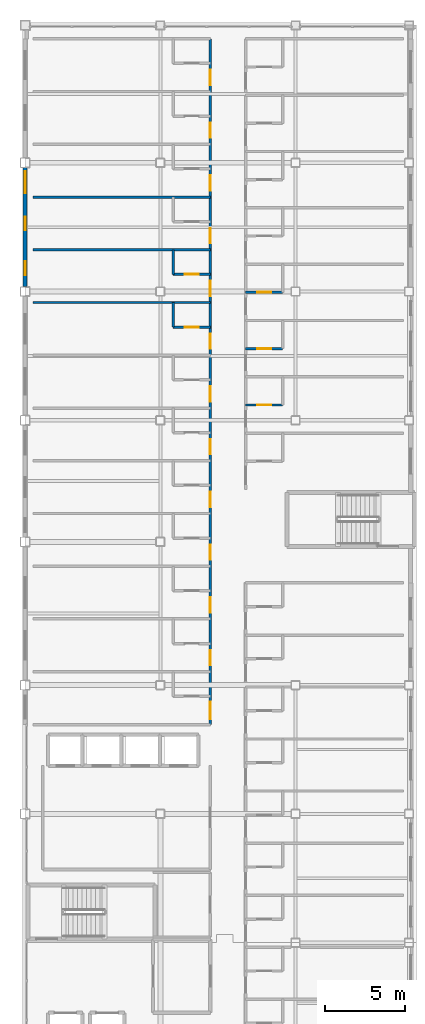
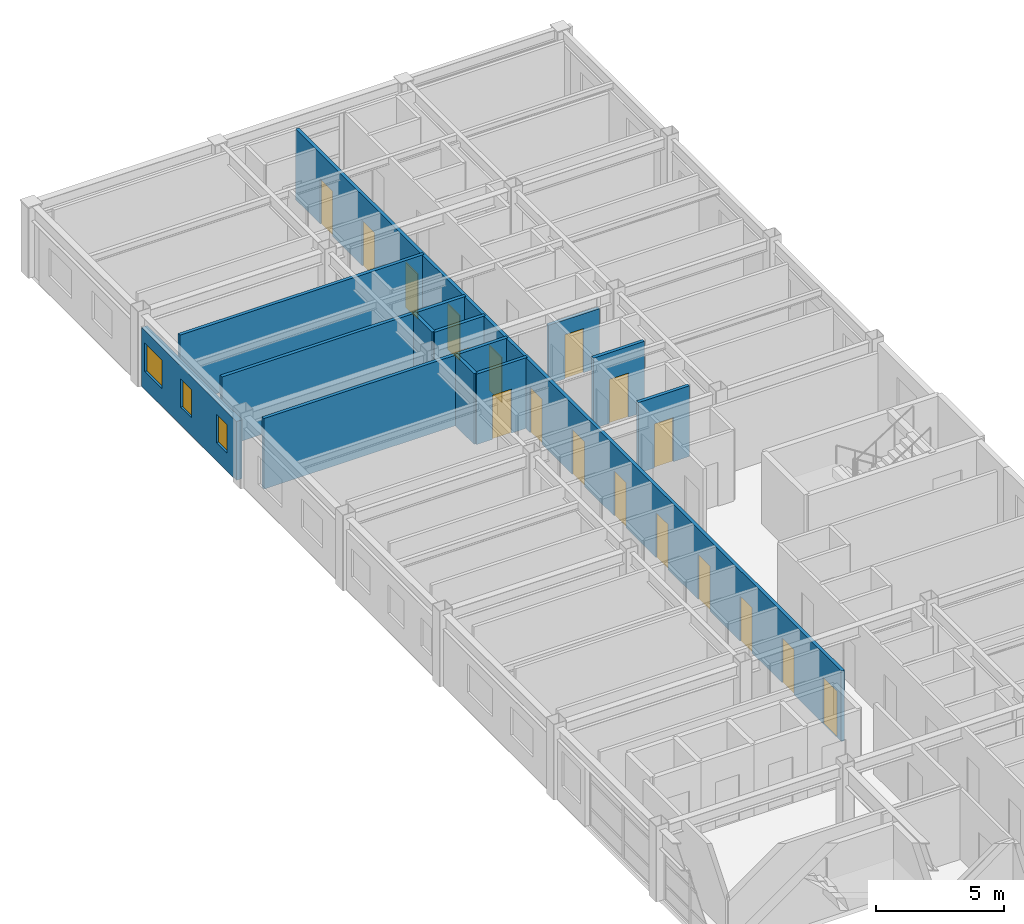
# One storey, part 31 of 36: 18 doors, 12 walls, 3 windows, 21 openings.
"""IFC4 building model written with IfcOpenShell, lengths in metres."""

from ifc_helpers import new_model, si_unit, direction, frame, frame_2d, origin, place, context, subcontext, project, spatial, rectangle, extrude, material, layer, layer_set, type_object, element, fill, save


model = new_model("IFC4")

# Units and contexts
model_context = context("Model", 3, precision=1e-05, world=origin(), true_north=direction((0.0, 1.0)))
body_context = subcontext(model_context, "Body", "Model", "MODEL_VIEW")
ifc_project = project(units=[si_unit("LENGTHUNIT", "METRE"), si_unit("AREAUNIT", "SQUARE_METRE"), si_unit("VOLUMEUNIT", "CUBIC_METRE"), si_unit("PLANEANGLEUNIT", "RADIAN"), si_unit("MASSUNIT", "GRAM", prefix="KILO")], contexts=[model_context])

# Site, building, storey
site_placement = place(None, origin())
site = spatial("IfcSite", under=ifc_project, at=site_placement, CompositionType="ELEMENT")
building_placement = place(site_placement, origin())
building = spatial("IfcBuilding", under=site, at=building_placement, Name="Kazehara Bluff Congress Hotel", CompositionType="ELEMENT")
storey_placement = place(building_placement, frame((0.0, 0.0, 28.199951171875)))
storey = spatial("IfcBuildingStorey", under=building, at=storey_placement, Name="L06", CompositionType="ELEMENT", Elevation=28.199951171875)

# Wall, openings, windows
ifc_material_1 = material(Name="Precast concrete C40/50", Category="concrete")
ifc_layer_1 = layer(ifc_material_1, 0.260009765625)
ifc_layer_set_1 = layer_set([ifc_layer_1], Name="Precast concrete C40/50")
wall_type_1 = type_object("IfcWallType", Name="TP-EW-260", PredefinedType="SOLIDWALL", material=ifc_layer_set_1)
wall_1_placement = place(storey_placement, frame((143.699951171875, 89.199951171875, 0.0), z_axis=(0.0, 0.0, 1.0), x_axis=(0.0, 1.0, 0.0)))
wall_1 = element("IfcWall", 1, at=wall_1_placement, inside=storey, type_object=wall_type_1, Name="L06 hotel facade panel 88", PredefinedType="SOLIDWALL", context=body_context, shape_type="SweptSolid", body=[
    extrude(rectangle(XDim=7.400146484375, YDim=0.260009765625, at=frame_2d((3.7001953125, 0.0))), origin(), (0.0, 0.0, 1.0), 2.804931640625),
])
opening_1_placement = place(wall_1_placement, frame((0.719970703125, 0.0, 0.85009765625)))
opening_1 = element("IfcOpeningElement", 2, at=opening_1_placement, cuts=wall_1, Name="Opening WN-55", PredefinedType="OPENING", context=body_context, shape_type="SweptSolid", body=[
    extrude(rectangle(XDim=0.85009765625, YDim=1.35009765625, at=frame_2d((0.425048828125, 0.675048828125))), frame((0.0, 0.139892578125, 0.0), z_axis=(0.0, -1.0, 0.0), x_axis=(1.0, 0.0, 0.0)), (0.0, 0.0, 1.0), 0.280029296875),
])
opening_2_placement = place(wall_1_placement, frame((3.5048828125, 0.0, 0.85009765625)))
opening_2 = element("IfcOpeningElement", 3, at=opening_2_placement, cuts=wall_1, Name="Opening WN-55", PredefinedType="OPENING", context=body_context, shape_type="SweptSolid", body=[
    extrude(rectangle(XDim=0.85009765625, YDim=1.35009765625, at=frame_2d((0.425048828125, 0.675048828125))), frame((0.0, 0.139892578125, 0.0), z_axis=(0.0, -1.0, 0.0), x_axis=(1.0, 0.0, 0.0)), (0.0, 0.0, 1.0), 0.280029296875),
])
opening_3_placement = place(wall_1_placement, frame((5.81005859375, 0.0, 0.85009765625)))
opening_3 = element("IfcOpeningElement", 4, at=opening_3_placement, cuts=wall_1, Name="Opening WN-11", PredefinedType="OPENING", context=body_context, shape_type="SweptSolid", body=[
    extrude(rectangle(XDim=1.35009765625, YDim=1.35009765625, at=frame_2d((0.675048828125, 0.675048828125))), frame((0.0, 0.139892578125, 0.0), z_axis=(0.0, -1.0, 0.0), x_axis=(1.0, 0.0, 0.0)), (0.0, 0.0, 1.0), 0.280029296875),
])
ifc_material_2 = material(Name="Insulated low-E double glazing", Category="glass")
window_type_1 = type_object("IfcWindowType", Name="TP-WN-11", PartitioningType="SINGLE_PANEL", PredefinedType="WINDOW", material=ifc_material_2)
window_1_placement = place(opening_3_placement, origin())
window_1 = element("IfcWindow", 5, at=window_1_placement, inside=storey, type_object=window_type_1, Name="L06 guestroom window WN-11 164", OverallHeight=1.35009765625, OverallWidth=1.35009765625, PartitioningType="SINGLE_PANEL", PredefinedType="WINDOW", context=body_context, shape_type="SweptSolid", body=[
    extrude(rectangle(XDim=1.35009765625, YDim=1.35009765625, at=frame_2d((0.675048828125, 0.675048828125))), frame((0.0, 0.030029296875, 0.0), z_axis=(0.0, -1.0, 0.0), x_axis=(1.0, 0.0, 0.0)), (0.0, 0.0, 1.0), 0.06005859375),
])
fill(opening_3, window_1)
ifc_material_3 = material(Name="Insulated low-E double glazing", Category="glass")
window_type_2 = type_object("IfcWindowType", Name="TP-WN-55", PartitioningType="SINGLE_PANEL", PredefinedType="WINDOW", material=ifc_material_3)
window_2_placement = place(opening_1_placement, origin())
window_2 = element("IfcWindow", 6, at=window_2_placement, inside=storey, type_object=window_type_2, Name="L06 guestroom window WN-55 162", OverallHeight=1.35009765625, OverallWidth=0.85009765625, PartitioningType="SINGLE_PANEL", PredefinedType="WINDOW", context=body_context, shape_type="SweptSolid", body=[
    extrude(rectangle(XDim=0.85009765625, YDim=1.35009765625, at=frame_2d((0.425048828125, 0.675048828125))), frame((0.0, 0.030029296875, 0.0), z_axis=(0.0, -1.0, 0.0), x_axis=(1.0, 0.0, 0.0)), (0.0, 0.0, 1.0), 0.06005859375),
])
fill(opening_1, window_2)
window_3_placement = place(opening_2_placement, origin())
window_3 = element("IfcWindow", 7, at=window_3_placement, inside=storey, type_object=window_type_2, Name="L06 guestroom window WN-55 163", OverallHeight=1.35009765625, OverallWidth=0.85009765625, PartitioningType="SINGLE_PANEL", PredefinedType="WINDOW", context=body_context, shape_type="SweptSolid", body=[
    extrude(rectangle(XDim=0.85009765625, YDim=1.35009765625, at=frame_2d((0.425048828125, 0.675048828125))), frame((0.0, 0.030029296875, 0.0), z_axis=(0.0, -1.0, 0.0), x_axis=(1.0, 0.0, 0.0)), (0.0, 0.0, 1.0), 0.06005859375),
])
fill(opening_2, window_3)

# Wall, opening, door
ifc_material_4 = material(Name="Fire-rated gypsum board stud partition")
ifc_layer_2 = layer(ifc_material_4, 0.14990234375)
ifc_layer_set_2 = layer_set([ifc_layer_2], Name="Fire-rated gypsum board stud partition")
wall_type_2 = type_object("IfcWallType", Name="TP-PT-150", PredefinedType="PARTITIONING", material=ifc_layer_set_2)
wall_2_placement = place(storey_placement, frame((157.39990234375, 81.85009765625, 0.0), z_axis=(0.0, 0.0, 1.0), x_axis=(1.0, 0.0, 0.0)))
wall_2 = element("IfcWall", 8, at=wall_2_placement, inside=storey, type_object=wall_type_2, Name="L06 partition PT-150 771", PredefinedType="PARTITIONING", context=body_context, shape_type="SweptSolid", body=[
    extrude(rectangle(XDim=2.300048828125, YDim=0.14990234375, at=frame_2d((1.14990234375, 0.0))), origin(), (0.0, 0.0, 1.0), 3.364990234375),
])
opening_4_placement = place(wall_2_placement, frame((0.72509765625, 0.0, 0.0)))
opening_4 = element("IfcOpeningElement", 9, at=opening_4_placement, cuts=wall_2, Name="Opening BD-01", PredefinedType="OPENING", context=body_context, shape_type="SweptSolid", body=[
    extrude(rectangle(XDim=0.85009765625, YDim=2.10009765625, at=frame_2d((0.425048828125, 1.050048828125))), frame((0.0, 0.0849609375, 0.0), z_axis=(0.0, -1.0, 0.0), x_axis=(1.0, 0.0, 0.0)), (0.0, 0.0, 1.0), 0.169921875),
])
ifc_material_5 = material(Name="Architectural oak veneer leaf")
door_type_1 = type_object("IfcDoorType", Name="TP-BD-01", OperationType="NOTDEFINED", PredefinedType="DOOR", material=ifc_material_5)
door_1_placement = place(opening_4_placement, origin())
door_1 = element("IfcDoor", 10, at=door_1_placement, inside=storey, type_object=door_type_1, Name="L06 En-suite Bathroom 160 door", OperationType="SINGLE_SWING_LEFT", OverallHeight=2.10009765625, OverallWidth=0.85009765625, PredefinedType="DOOR", context=body_context, shape_type="SweptSolid", body=[
    extrude(rectangle(XDim=0.85009765625, YDim=2.10009765625, at=frame_2d((0.425048828125, 1.050048828125))), frame((0.0, 0.02490234375, 0.0), z_axis=(0.0, -1.0, 0.0), x_axis=(1.0, 0.0, 0.0)), (0.0, 0.0, 1.0), 0.050048828125),
])
fill(opening_4, door_1)

wall_3_placement = place(storey_placement, frame((157.39990234375, 85.35009765625, 0.0), z_axis=(0.0, 0.0, 1.0), x_axis=(1.0, 0.0, 0.0)))
wall_3 = element("IfcWall", 11, at=wall_3_placement, inside=storey, type_object=wall_type_2, Name="L06 partition PT-150 775", PredefinedType="PARTITIONING", context=body_context, shape_type="SweptSolid", body=[
    extrude(rectangle(XDim=2.300048828125, YDim=0.14990234375, at=frame_2d((1.14990234375, 0.0))), origin(), (0.0, 0.0, 1.0), 3.364990234375),
])
opening_5_placement = place(wall_3_placement, frame((0.72509765625, 0.0, 0.0)))
opening_5 = element("IfcOpeningElement", 12, at=opening_5_placement, cuts=wall_3, Name="Opening BD-01", PredefinedType="OPENING", context=body_context, shape_type="SweptSolid", body=[
    extrude(rectangle(XDim=0.85009765625, YDim=2.10009765625, at=frame_2d((0.425048828125, 1.050048828125))), frame((0.0, 0.0849609375, 0.0), z_axis=(0.0, -1.0, 0.0), x_axis=(1.0, 0.0, 0.0)), (0.0, 0.0, 1.0), 0.169921875),
])
door_2_placement = place(opening_5_placement, origin())
door_2 = element("IfcDoor", 13, at=door_2_placement, inside=storey, type_object=door_type_1, Name="L06 En-suite Bathroom 161 door", OperationType="SINGLE_SWING_LEFT", OverallHeight=2.10009765625, OverallWidth=0.85009765625, PredefinedType="DOOR", context=body_context, shape_type="SweptSolid", body=[
    extrude(rectangle(XDim=0.85009765625, YDim=2.10009765625, at=frame_2d((0.425048828125, 1.050048828125))), frame((0.0, 0.02490234375, 0.0), z_axis=(0.0, -1.0, 0.0), x_axis=(1.0, 0.0, 0.0)), (0.0, 0.0, 1.0), 0.050048828125),
])
fill(opening_5, door_2)

wall_4_placement = place(storey_placement, frame((152.89990234375, 86.68994140625, 0.0), z_axis=(0.0, 0.0, 1.0), x_axis=(1.0, 0.0, 0.0)))
wall_4 = element("IfcWall", 14, at=wall_4_placement, inside=storey, type_object=wall_type_2, Name="L06 partition PT-150 776", PredefinedType="PARTITIONING", context=body_context, shape_type="SweptSolid", body=[
    extrude(rectangle(XDim=2.300048828125, YDim=0.14990234375, at=frame_2d((1.14990234375, 0.0))), origin(), (0.0, 0.0, 1.0), 3.364990234375),
])
opening_6_placement = place(wall_4_placement, frame((0.72509765625, 0.0, 0.0)))
opening_6 = element("IfcOpeningElement", 15, at=opening_6_placement, cuts=wall_4, Name="Opening BD-01", PredefinedType="OPENING", context=body_context, shape_type="SweptSolid", body=[
    extrude(rectangle(XDim=0.85009765625, YDim=2.10009765625, at=frame_2d((0.425048828125, 1.050048828125))), frame((0.0, 0.0849609375, 0.0), z_axis=(0.0, -1.0, 0.0), x_axis=(1.0, 0.0, 0.0)), (0.0, 0.0, 1.0), 0.169921875),
])
door_3_placement = place(opening_6_placement, origin())
door_3 = element("IfcDoor", 16, at=door_3_placement, inside=storey, type_object=door_type_1, Name="L06 En-suite Bathroom 133 door", OperationType="SINGLE_SWING_LEFT", OverallHeight=2.10009765625, OverallWidth=0.85009765625, PredefinedType="DOOR", context=body_context, shape_type="SweptSolid", body=[
    extrude(rectangle(XDim=0.85009765625, YDim=2.10009765625, at=frame_2d((0.425048828125, 1.050048828125))), frame((0.0, 0.02490234375, 0.0), z_axis=(0.0, -1.0, 0.0), x_axis=(1.0, 0.0, 0.0)), (0.0, 0.0, 1.0), 0.050048828125),
])
fill(opening_6, door_3)

# Wall
wall_5_placement = place(storey_placement, frame((144.199951171875, 88.219970703125, 0.0), z_axis=(0.0, 0.0, 1.0), x_axis=(1.0, 0.0, 0.0)))
element("IfcWall", 17, at=wall_5_placement, inside=storey, type_object=wall_type_2, Name="L06 partition PT-150 778", PredefinedType="PARTITIONING", context=body_context, shape_type="SweptSolid", body=[
    extrude(rectangle(XDim=11.0, YDim=0.14990234375, at=frame_2d((5.5, 0.0))), origin(), (0.0, 0.0, 1.0), 3.364990234375),
])

# Wall, opening, door
wall_6_placement = place(storey_placement, frame((157.39990234375, 88.85009765625, 0.0), z_axis=(0.0, 0.0, 1.0), x_axis=(1.0, 0.0, 0.0)))
wall_6 = element("IfcWall", 18, at=wall_6_placement, inside=storey, type_object=wall_type_2, Name="L06 partition PT-150 779", PredefinedType="PARTITIONING", context=body_context, shape_type="SweptSolid", body=[
    extrude(rectangle(XDim=2.300048828125, YDim=0.14990234375, at=frame_2d((1.14990234375, 0.0))), origin(), (0.0, 0.0, 1.0), 2.804931640625),
])
opening_7_placement = place(wall_6_placement, frame((0.72509765625, 0.0, 0.0)))
opening_7 = element("IfcOpeningElement", 19, at=opening_7_placement, cuts=wall_6, Name="Opening BD-01", PredefinedType="OPENING", context=body_context, shape_type="SweptSolid", body=[
    extrude(rectangle(XDim=0.85009765625, YDim=2.10009765625, at=frame_2d((0.425048828125, 1.050048828125))), frame((0.0, 0.0849609375, 0.0), z_axis=(0.0, -1.0, 0.0), x_axis=(1.0, 0.0, 0.0)), (0.0, 0.0, 1.0), 0.169921875),
])
door_4_placement = place(opening_7_placement, origin())
door_4 = element("IfcDoor", 20, at=door_4_placement, inside=storey, type_object=door_type_1, Name="L06 En-suite Bathroom 162 door", OperationType="SINGLE_SWING_LEFT", OverallHeight=2.10009765625, OverallWidth=0.85009765625, PredefinedType="DOOR", context=body_context, shape_type="SweptSolid", body=[
    extrude(rectangle(XDim=0.85009765625, YDim=2.10009765625, at=frame_2d((0.425048828125, 1.050048828125))), frame((0.0, 0.02490234375, 0.0), z_axis=(0.0, -1.0, 0.0), x_axis=(1.0, 0.0, 0.0)), (0.0, 0.0, 1.0), 0.050048828125),
])
fill(opening_7, door_4)

wall_7_placement = place(storey_placement, frame((152.89990234375, 89.969970703125, 0.0), z_axis=(0.0, 0.0, 1.0), x_axis=(1.0, 0.0, 0.0)))
wall_7 = element("IfcWall", 21, at=wall_7_placement, inside=storey, type_object=wall_type_2, Name="L06 partition PT-150 780", PredefinedType="PARTITIONING", context=body_context, shape_type="SweptSolid", body=[
    extrude(rectangle(XDim=2.300048828125, YDim=0.14990234375, at=frame_2d((1.14990234375, 0.0))), origin(), (0.0, 0.0, 1.0), 3.364990234375),
])
opening_8_placement = place(wall_7_placement, frame((0.72509765625, 0.0, 0.0)))
opening_8 = element("IfcOpeningElement", 22, at=opening_8_placement, cuts=wall_7, Name="Opening BD-01", PredefinedType="OPENING", context=body_context, shape_type="SweptSolid", body=[
    extrude(rectangle(XDim=0.85009765625, YDim=2.10009765625, at=frame_2d((0.425048828125, 1.050048828125))), frame((0.0, 0.0849609375, 0.0), z_axis=(0.0, -1.0, 0.0), x_axis=(1.0, 0.0, 0.0)), (0.0, 0.0, 1.0), 0.169921875),
])
door_5_placement = place(opening_8_placement, origin())
door_5 = element("IfcDoor", 23, at=door_5_placement, inside=storey, type_object=door_type_1, Name="L06 En-suite Bathroom 134 door", OperationType="SINGLE_SWING_LEFT", OverallHeight=2.10009765625, OverallWidth=0.85009765625, PredefinedType="DOOR", context=body_context, shape_type="SweptSolid", body=[
    extrude(rectangle(XDim=0.85009765625, YDim=2.10009765625, at=frame_2d((0.425048828125, 1.050048828125))), frame((0.0, 0.02490234375, 0.0), z_axis=(0.0, -1.0, 0.0), x_axis=(1.0, 0.0, 0.0)), (0.0, 0.0, 1.0), 0.050048828125),
])
fill(opening_8, door_5)

# Walls
for number, where, z_axis, x_axis, name in (
    (24, (144.199951171875, 91.489990234375, 0.0), (0.0, 0.0, 1.0), (1.0, 0.0, 0.0), "L06 partition PT-150 782"),
    (25, (144.199951171875, 94.77001953125, 0.0), (0.0, 0.0, 1.0), (1.0, 0.0, 0.0), "L06 partition PT-150 786"),
):
    element("IfcWall", number, at=place(storey_placement, frame(where, z_axis=z_axis, x_axis=x_axis)), inside=storey, type_object=wall_type_2, Name=name, PredefinedType="PARTITIONING", context=body_context, shape_type="SweptSolid", body=[
        extrude(rectangle(XDim=11.0, YDim=0.14990234375, at=frame_2d((5.5, 0.0))), origin(), (0.0, 0.0, 1.0), 3.364990234375),
    ])
wall_8_placement = place(storey_placement, frame((152.89990234375, 86.68994140625, 0.0), z_axis=(0.0, 0.0, 1.0), x_axis=(0.0, 1.0, 0.0)))
element("IfcWall", 26, at=wall_8_placement, inside=storey, type_object=wall_type_2, Name="L06 partition PT-150 815", PredefinedType="PARTITIONING", context=body_context, shape_type="SweptSolid", body=[
    extrude(rectangle(XDim=1.525146484375, YDim=0.14990234375, at=frame_2d((0.7626953125, 0.0))), origin(), (0.0, 0.0, 1.0), 3.364990234375),
])
wall_9_placement = place(storey_placement, frame((152.89990234375, 89.965087890625, 0.0), z_axis=(0.0, 0.0, 1.0), x_axis=(0.0, 1.0, 0.0)))
element("IfcWall", 27, at=wall_9_placement, inside=storey, type_object=wall_type_2, Name="L06 partition PT-150 816", PredefinedType="PARTITIONING", context=body_context, shape_type="SweptSolid", body=[
    extrude(rectangle(XDim=1.52490234375, YDim=0.14990234375, at=frame_2d((0.762451171875, 0.0))), origin(), (0.0, 0.0, 1.0), 3.364990234375),
])

# Wall, openings, doors
wall_10_placement = place(storey_placement, frame((155.199951171875, 62.0, 0.0), z_axis=(0.0, 0.0, 1.0), x_axis=(0.0, 1.0, 0.0)))
wall_10 = element("IfcWall", 28, at=wall_10_placement, inside=storey, type_object=wall_type_2, Name="L06 partition PT-150 827", PredefinedType="PARTITIONING", context=body_context, shape_type="SweptSolid", body=[
    extrude(rectangle(XDim=42.60009765625, YDim=0.14990234375, at=frame_2d((21.300048828125, 0.0))), origin(), (0.0, 0.0, 1.0), 3.364990234375),
])
opening_9_placement = place(wall_10_placement, frame((0.324951171875, 0.0, 0.0)))
opening_9 = element("IfcOpeningElement", 29, at=opening_9_placement, cuts=wall_10, Name="Opening GD-02", PredefinedType="OPENING", context=body_context, shape_type="SweptSolid", body=[
    extrude(rectangle(XDim=1.10009765625, YDim=2.199951171875, at=frame_2d((0.550048828125, 1.10009765625))), frame((0.0, 0.0849609375, 0.0), z_axis=(0.0, -1.0, 0.0), x_axis=(1.0, 0.0, 0.0)), (0.0, 0.0, 1.0), 0.169921875),
])
opening_10_placement = place(wall_10_placement, frame((3.675048828125, 0.0, 0.0)))
opening_10 = element("IfcOpeningElement", 30, at=opening_10_placement, cuts=wall_10, Name="Opening GD-01", PredefinedType="OPENING", context=body_context, shape_type="SweptSolid", body=[
    extrude(rectangle(XDim=0.949951171875, YDim=2.14990234375, at=frame_2d((0.47509765625, 1.074951171875))), frame((0.0, 0.0849609375, 0.0), z_axis=(0.0, -1.0, 0.0), x_axis=(1.0, 0.0, 0.0)), (0.0, 0.0, 1.0), 0.169921875),
])
opening_11_placement = place(wall_10_placement, frame((6.955078125, 0.0, 0.0)))
opening_11 = element("IfcOpeningElement", 31, at=opening_11_placement, cuts=wall_10, Name="Opening GD-01", PredefinedType="OPENING", context=body_context, shape_type="SweptSolid", body=[
    extrude(rectangle(XDim=0.949951171875, YDim=2.14990234375, at=frame_2d((0.47509765625, 1.074951171875))), frame((0.0, 0.0849609375, 0.0), z_axis=(0.0, -1.0, 0.0), x_axis=(1.0, 0.0, 0.0)), (0.0, 0.0, 1.0), 0.169921875),
])
opening_12_placement = place(wall_10_placement, frame((10.22998046875, 0.0, 0.0)))
opening_12 = element("IfcOpeningElement", 32, at=opening_12_placement, cuts=wall_10, Name="Opening GD-01", PredefinedType="OPENING", context=body_context, shape_type="SweptSolid", body=[
    extrude(rectangle(XDim=0.949951171875, YDim=2.14990234375, at=frame_2d((0.47509765625, 1.074951171875))), frame((0.0, 0.0849609375, 0.0), z_axis=(0.0, -1.0, 0.0), x_axis=(1.0, 0.0, 0.0)), (0.0, 0.0, 1.0), 0.169921875),
])
opening_13_placement = place(wall_10_placement, frame((13.510009765625, 0.0, 0.0)))
opening_13 = element("IfcOpeningElement", 33, at=opening_13_placement, cuts=wall_10, Name="Opening GD-01", PredefinedType="OPENING", context=body_context, shape_type="SweptSolid", body=[
    extrude(rectangle(XDim=0.949951171875, YDim=2.14990234375, at=frame_2d((0.47509765625, 1.074951171875))), frame((0.0, 0.0849609375, 0.0), z_axis=(0.0, -1.0, 0.0), x_axis=(1.0, 0.0, 0.0)), (0.0, 0.0, 1.0), 0.169921875),
])
opening_14_placement = place(wall_10_placement, frame((16.784912109375, 0.0, 0.0)))
opening_14 = element("IfcOpeningElement", 34, at=opening_14_placement, cuts=wall_10, Name="Opening GD-01", PredefinedType="OPENING", context=body_context, shape_type="SweptSolid", body=[
    extrude(rectangle(XDim=0.949951171875, YDim=2.14990234375, at=frame_2d((0.47509765625, 1.074951171875))), frame((0.0, 0.0849609375, 0.0), z_axis=(0.0, -1.0, 0.0), x_axis=(1.0, 0.0, 0.0)), (0.0, 0.0, 1.0), 0.169921875),
])
opening_15_placement = place(wall_10_placement, frame((20.06005859375, 0.0, 0.0)))
opening_15 = element("IfcOpeningElement", 35, at=opening_15_placement, cuts=wall_10, Name="Opening GD-01", PredefinedType="OPENING", context=body_context, shape_type="SweptSolid", body=[
    extrude(rectangle(XDim=0.949951171875, YDim=2.14990234375, at=frame_2d((0.47509765625, 1.074951171875))), frame((0.0, 0.0849609375, 0.0), z_axis=(0.0, -1.0, 0.0), x_axis=(1.0, 0.0, 0.0)), (0.0, 0.0, 1.0), 0.169921875),
])
opening_16_placement = place(wall_10_placement, frame((23.340087890625, 0.0, 0.0)))
opening_16 = element("IfcOpeningElement", 36, at=opening_16_placement, cuts=wall_10, Name="Opening GD-01", PredefinedType="OPENING", context=body_context, shape_type="SweptSolid", body=[
    extrude(rectangle(XDim=0.949951171875, YDim=2.14990234375, at=frame_2d((0.47509765625, 1.074951171875))), frame((0.0, 0.0849609375, 0.0), z_axis=(0.0, -1.0, 0.0), x_axis=(1.0, 0.0, 0.0)), (0.0, 0.0, 1.0), 0.169921875),
])
opening_17_placement = place(wall_10_placement, frame((26.614990234375, 0.0, 0.0)))
opening_17 = element("IfcOpeningElement", 37, at=opening_17_placement, cuts=wall_10, Name="Opening GD-01", PredefinedType="OPENING", context=body_context, shape_type="SweptSolid", body=[
    extrude(rectangle(XDim=0.949951171875, YDim=2.14990234375, at=frame_2d((0.47509765625, 1.074951171875))), frame((0.0, 0.0849609375, 0.0), z_axis=(0.0, -1.0, 0.0), x_axis=(1.0, 0.0, 0.0)), (0.0, 0.0, 1.0), 0.169921875),
])
opening_18_placement = place(wall_10_placement, frame((29.889892578125, 0.0, 0.0)))
opening_18 = element("IfcOpeningElement", 38, at=opening_18_placement, cuts=wall_10, Name="Opening GD-01", PredefinedType="OPENING", context=body_context, shape_type="SweptSolid", body=[
    extrude(rectangle(XDim=0.949951171875, YDim=2.14990234375, at=frame_2d((0.47509765625, 1.074951171875))), frame((0.0, 0.0849609375, 0.0), z_axis=(0.0, -1.0, 0.0), x_axis=(1.0, 0.0, 0.0)), (0.0, 0.0, 1.0), 0.169921875),
])
opening_19_placement = place(wall_10_placement, frame((33.169921875, 0.0, 0.0)))
opening_19 = element("IfcOpeningElement", 39, at=opening_19_placement, cuts=wall_10, Name="Opening GD-01", PredefinedType="OPENING", context=body_context, shape_type="SweptSolid", body=[
    extrude(rectangle(XDim=0.949951171875, YDim=2.14990234375, at=frame_2d((0.47509765625, 1.074951171875))), frame((0.0, 0.0849609375, 0.0), z_axis=(0.0, -1.0, 0.0), x_axis=(1.0, 0.0, 0.0)), (0.0, 0.0, 1.0), 0.169921875),
])
opening_20_placement = place(wall_10_placement, frame((36.445068359375, 0.0, 0.0)))
opening_20 = element("IfcOpeningElement", 40, at=opening_20_placement, cuts=wall_10, Name="Opening GD-01", PredefinedType="OPENING", context=body_context, shape_type="SweptSolid", body=[
    extrude(rectangle(XDim=0.949951171875, YDim=2.14990234375, at=frame_2d((0.47509765625, 1.074951171875))), frame((0.0, 0.0849609375, 0.0), z_axis=(0.0, -1.0, 0.0), x_axis=(1.0, 0.0, 0.0)), (0.0, 0.0, 1.0), 0.169921875),
])
opening_21_placement = place(wall_10_placement, frame((39.72509765625, 0.0, 0.0)))
opening_21 = element("IfcOpeningElement", 41, at=opening_21_placement, cuts=wall_10, Name="Opening GD-01", PredefinedType="OPENING", context=body_context, shape_type="SweptSolid", body=[
    extrude(rectangle(XDim=0.949951171875, YDim=2.14990234375, at=frame_2d((0.47509765625, 1.074951171875))), frame((0.0, 0.0849609375, 0.0), z_axis=(0.0, -1.0, 0.0), x_axis=(1.0, 0.0, 0.0)), (0.0, 0.0, 1.0), 0.169921875),
])
ifc_material_6 = material(Name="Architectural oak veneer leaf")
door_type_2 = type_object("IfcDoorType", Name="TP-GD-01", OperationType="NOTDEFINED", PredefinedType="DOOR", material=ifc_material_6)
door_6_placement = place(opening_10_placement, origin())
door_6 = element("IfcDoor", 42, at=door_6_placement, inside=storey, type_object=door_type_2, Name="L06 Standard King Guest Room 127 door", OperationType="SINGLE_SWING_RIGHT", OverallHeight=2.14990234375, OverallWidth=0.949951171875, PredefinedType="DOOR", context=body_context, shape_type="SweptSolid", body=[
    extrude(rectangle(XDim=0.949951171875, YDim=2.14990234375, at=frame_2d((0.47509765625, 1.074951171875))), frame((0.0, 0.02490234375, 0.0), z_axis=(0.0, -1.0, 0.0), x_axis=(1.0, 0.0, 0.0)), (0.0, 0.0, 1.0), 0.050048828125),
])
fill(opening_10, door_6)
door_7_placement = place(opening_11_placement, origin())
door_7 = element("IfcDoor", 43, at=door_7_placement, inside=storey, type_object=door_type_2, Name="L06 Deluxe Twin Guest Room 128 door", OperationType="SINGLE_SWING_RIGHT", OverallHeight=2.14990234375, OverallWidth=0.949951171875, PredefinedType="DOOR", context=body_context, shape_type="SweptSolid", body=[
    extrude(rectangle(XDim=0.949951171875, YDim=2.14990234375, at=frame_2d((0.47509765625, 1.074951171875))), frame((0.0, 0.02490234375, 0.0), z_axis=(0.0, -1.0, 0.0), x_axis=(1.0, 0.0, 0.0)), (0.0, 0.0, 1.0), 0.050048828125),
])
fill(opening_11, door_7)
door_8_placement = place(opening_12_placement, origin())
door_8 = element("IfcDoor", 44, at=door_8_placement, inside=storey, type_object=door_type_2, Name="L06 Standard King Guest Room 129 door", OperationType="SINGLE_SWING_RIGHT", OverallHeight=2.14990234375, OverallWidth=0.949951171875, PredefinedType="DOOR", context=body_context, shape_type="SweptSolid", body=[
    extrude(rectangle(XDim=0.949951171875, YDim=2.14990234375, at=frame_2d((0.47509765625, 1.074951171875))), frame((0.0, 0.02490234375, 0.0), z_axis=(0.0, -1.0, 0.0), x_axis=(1.0, 0.0, 0.0)), (0.0, 0.0, 1.0), 0.050048828125),
])
fill(opening_12, door_8)
door_9_placement = place(opening_13_placement, origin())
door_9 = element("IfcDoor", 45, at=door_9_placement, inside=storey, type_object=door_type_2, Name="L06 Deluxe Twin Guest Room 130 door", OperationType="SINGLE_SWING_RIGHT", OverallHeight=2.14990234375, OverallWidth=0.949951171875, PredefinedType="DOOR", context=body_context, shape_type="SweptSolid", body=[
    extrude(rectangle(XDim=0.949951171875, YDim=2.14990234375, at=frame_2d((0.47509765625, 1.074951171875))), frame((0.0, 0.02490234375, 0.0), z_axis=(0.0, -1.0, 0.0), x_axis=(1.0, 0.0, 0.0)), (0.0, 0.0, 1.0), 0.050048828125),
])
fill(opening_13, door_9)
door_10_placement = place(opening_14_placement, origin())
door_10 = element("IfcDoor", 46, at=door_10_placement, inside=storey, type_object=door_type_2, Name="L06 Standard King Guest Room 131 door", OperationType="SINGLE_SWING_RIGHT", OverallHeight=2.14990234375, OverallWidth=0.949951171875, PredefinedType="DOOR", context=body_context, shape_type="SweptSolid", body=[
    extrude(rectangle(XDim=0.949951171875, YDim=2.14990234375, at=frame_2d((0.47509765625, 1.074951171875))), frame((0.0, 0.02490234375, 0.0), z_axis=(0.0, -1.0, 0.0), x_axis=(1.0, 0.0, 0.0)), (0.0, 0.0, 1.0), 0.050048828125),
])
fill(opening_14, door_10)
door_11_placement = place(opening_15_placement, origin())
door_11 = element("IfcDoor", 47, at=door_11_placement, inside=storey, type_object=door_type_2, Name="L06 Deluxe Twin Guest Room 132 door", OperationType="SINGLE_SWING_RIGHT", OverallHeight=2.14990234375, OverallWidth=0.949951171875, PredefinedType="DOOR", context=body_context, shape_type="SweptSolid", body=[
    extrude(rectangle(XDim=0.949951171875, YDim=2.14990234375, at=frame_2d((0.47509765625, 1.074951171875))), frame((0.0, 0.02490234375, 0.0), z_axis=(0.0, -1.0, 0.0), x_axis=(1.0, 0.0, 0.0)), (0.0, 0.0, 1.0), 0.050048828125),
])
fill(opening_15, door_11)
door_12_placement = place(opening_16_placement, origin())
door_12 = element("IfcDoor", 48, at=door_12_placement, inside=storey, type_object=door_type_2, Name="L06 Standard King Guest Room 133 door", OperationType="SINGLE_SWING_RIGHT", OverallHeight=2.14990234375, OverallWidth=0.949951171875, PredefinedType="DOOR", context=body_context, shape_type="SweptSolid", body=[
    extrude(rectangle(XDim=0.949951171875, YDim=2.14990234375, at=frame_2d((0.47509765625, 1.074951171875))), frame((0.0, 0.02490234375, 0.0), z_axis=(0.0, -1.0, 0.0), x_axis=(1.0, 0.0, 0.0)), (0.0, 0.0, 1.0), 0.050048828125),
])
fill(opening_16, door_12)
door_13_placement = place(opening_17_placement, origin())
door_13 = element("IfcDoor", 49, at=door_13_placement, inside=storey, type_object=door_type_2, Name="L06 Deluxe Twin Guest Room 134 door", OperationType="SINGLE_SWING_RIGHT", OverallHeight=2.14990234375, OverallWidth=0.949951171875, PredefinedType="DOOR", context=body_context, shape_type="SweptSolid", body=[
    extrude(rectangle(XDim=0.949951171875, YDim=2.14990234375, at=frame_2d((0.47509765625, 1.074951171875))), frame((0.0, 0.02490234375, 0.0), z_axis=(0.0, -1.0, 0.0), x_axis=(1.0, 0.0, 0.0)), (0.0, 0.0, 1.0), 0.050048828125),
])
fill(opening_17, door_13)
door_14_placement = place(opening_18_placement, origin())
door_14 = element("IfcDoor", 50, at=door_14_placement, inside=storey, type_object=door_type_2, Name="L06 Standard King Guest Room 135 door", OperationType="SINGLE_SWING_RIGHT", OverallHeight=2.14990234375, OverallWidth=0.949951171875, PredefinedType="DOOR", context=body_context, shape_type="SweptSolid", body=[
    extrude(rectangle(XDim=0.949951171875, YDim=2.14990234375, at=frame_2d((0.47509765625, 1.074951171875))), frame((0.0, 0.02490234375, 0.0), z_axis=(0.0, -1.0, 0.0), x_axis=(1.0, 0.0, 0.0)), (0.0, 0.0, 1.0), 0.050048828125),
])
fill(opening_18, door_14)
door_15_placement = place(opening_19_placement, origin())
door_15 = element("IfcDoor", 51, at=door_15_placement, inside=storey, type_object=door_type_2, Name="L06 Deluxe Twin Guest Room 136 door", OperationType="SINGLE_SWING_RIGHT", OverallHeight=2.14990234375, OverallWidth=0.949951171875, PredefinedType="DOOR", context=body_context, shape_type="SweptSolid", body=[
    extrude(rectangle(XDim=0.949951171875, YDim=2.14990234375, at=frame_2d((0.47509765625, 1.074951171875))), frame((0.0, 0.02490234375, 0.0), z_axis=(0.0, -1.0, 0.0), x_axis=(1.0, 0.0, 0.0)), (0.0, 0.0, 1.0), 0.050048828125),
])
fill(opening_19, door_15)
door_16_placement = place(opening_20_placement, origin())
door_16 = element("IfcDoor", 52, at=door_16_placement, inside=storey, type_object=door_type_2, Name="L06 Standard King Guest Room 137 door", OperationType="SINGLE_SWING_RIGHT", OverallHeight=2.14990234375, OverallWidth=0.949951171875, PredefinedType="DOOR", context=body_context, shape_type="SweptSolid", body=[
    extrude(rectangle(XDim=0.949951171875, YDim=2.14990234375, at=frame_2d((0.47509765625, 1.074951171875))), frame((0.0, 0.02490234375, 0.0), z_axis=(0.0, -1.0, 0.0), x_axis=(1.0, 0.0, 0.0)), (0.0, 0.0, 1.0), 0.050048828125),
])
fill(opening_20, door_16)
door_17_placement = place(opening_21_placement, origin())
door_17 = element("IfcDoor", 53, at=door_17_placement, inside=storey, type_object=door_type_2, Name="L06 Deluxe Twin Guest Room 138 door", OperationType="SINGLE_SWING_RIGHT", OverallHeight=2.14990234375, OverallWidth=0.949951171875, PredefinedType="DOOR", context=body_context, shape_type="SweptSolid", body=[
    extrude(rectangle(XDim=0.949951171875, YDim=2.14990234375, at=frame_2d((0.47509765625, 1.074951171875))), frame((0.0, 0.02490234375, 0.0), z_axis=(0.0, -1.0, 0.0), x_axis=(1.0, 0.0, 0.0)), (0.0, 0.0, 1.0), 0.050048828125),
])
fill(opening_21, door_17)
ifc_material_7 = material(Name="Architectural oak veneer leaf")
door_type_3 = type_object("IfcDoorType", Name="TP-GD-02", OperationType="NOTDEFINED", PredefinedType="DOOR", material=ifc_material_7)
door_18_placement = place(opening_9_placement, origin())
door_18 = element("IfcDoor", 54, at=door_18_placement, inside=storey, type_object=door_type_3, Name="L06 Executive Suite 126 door", OperationType="SINGLE_SWING_RIGHT", OverallHeight=2.199951171875, OverallWidth=1.10009765625, PredefinedType="DOOR", context=body_context, shape_type="SweptSolid", body=[
    extrude(rectangle(XDim=1.10009765625, YDim=2.199951171875, at=frame_2d((0.550048828125, 1.10009765625))), frame((0.0, 0.02490234375, 0.0), z_axis=(0.0, -1.0, 0.0), x_axis=(1.0, 0.0, 0.0)), (0.0, 0.0, 1.0), 0.050048828125),
])
fill(opening_9, door_18)

save(model, "model.ifc")
